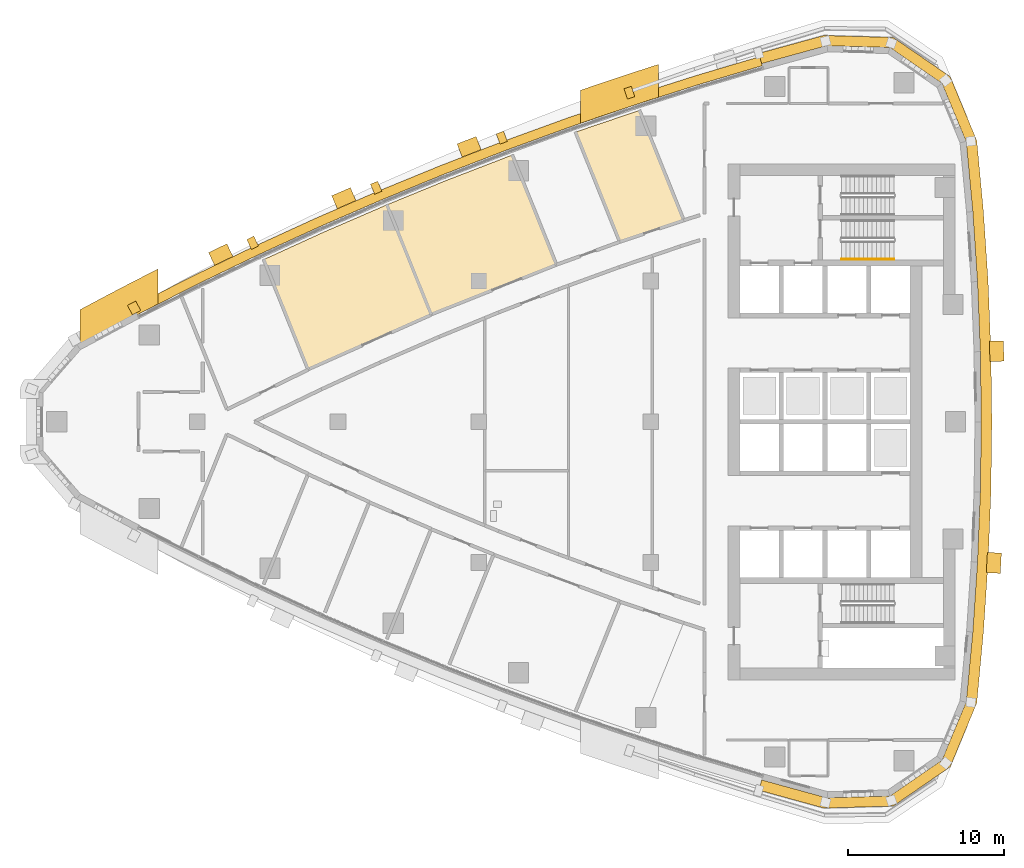
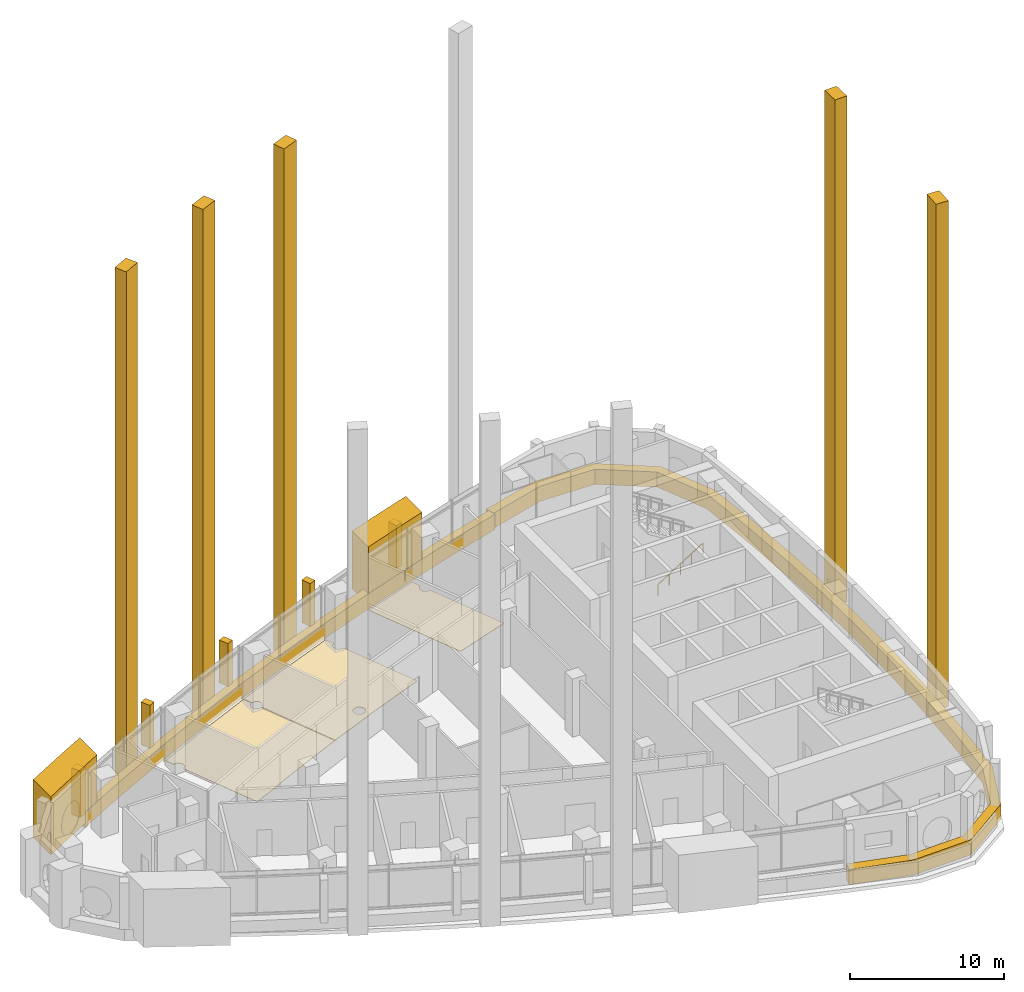
# One storey, part 15 of 19: 17 coverings, 1 railing.
"""IFC4 building model written with IfcOpenShell, lengths in metres."""

from ifc_helpers import new_model, si_unit, direction, frame, frame_2d, origin, origin_2d, place, context, subcontext, project, spatial, polyline, rectangle, circle, outline, extrude, material, layer, layer_set, type_object, element, save


model = new_model("IFC4")

# Units and contexts
model_context = context("Model", 3, precision=1e-05, world=origin(), true_north=direction((0.0, 1.0)))
body_context = subcontext(model_context, "Body", "Model", "MODEL_VIEW")
ifc_project = project(units=[si_unit("LENGTHUNIT", "METRE"), si_unit("AREAUNIT", "SQUARE_METRE"), si_unit("VOLUMEUNIT", "CUBIC_METRE"), si_unit("PLANEANGLEUNIT", "RADIAN"), si_unit("MASSUNIT", "GRAM", prefix="KILO")], contexts=[model_context])

# Site, building, storey
site_placement = place(None, origin())
site = spatial("IfcSite", under=ifc_project, at=site_placement, CompositionType="ELEMENT")
building_placement = place(site_placement, origin())
building = spatial("IfcBuilding", under=site, at=building_placement, Name="Ostrand Prow Hotel Tower", CompositionType="ELEMENT")
storey_placement = place(building_placement, frame((0.0, 0.0, 170.89990234375)))
storey = spatial("IfcBuildingStorey", under=building, at=storey_placement, Name="L42", CompositionType="ELEMENT", Elevation=170.89990234375)

# Coverings
ifc_material_1 = material(Name="Bronze anodised aluminium cladding", Category="aluminium")
ifc_layer_1 = layer(ifc_material_1, 0.60009765625)
ifc_layer_set_1 = layer_set([ifc_layer_1], Name="Bronze anodised aluminium cladding")
covering_type_1 = type_object("IfcCoveringType", Name="Bronze spandrel band 1200x600", PredefinedType="CLADDING", material=ifc_layer_set_1)
covering_1_placement = place(storey_placement, frame((0.0, 0.0, -0.2998046875)))
element("IfcCovering", 1, at=covering_1_placement, inside=storey, type_object=covering_type_1, Name="Spandrel band N1", PredefinedType="CLADDING", context=body_context, shape_type="SweptSolid", body=[
    extrude(outline(polyline([(51.9736328125, 23.35009765625), (47.831787109375, 22.12060546875), (43.7158203125, 20.80810546875), (39.626708984375, 19.4130859375), (35.566650390625, 17.93603515625), (31.537353515625, 16.37744140625), (27.5400390625, 14.738037109375), (23.57666015625, 13.0185546875), (19.648681640625, 11.219482421875), (15.757568359375, 9.341796875), (11.9052734375, 7.38623046875), (12.18212890625, 6.85400390625), (16.023681640625, 8.80419921875), (19.90380859375, 10.676513671875), (23.821044921875, 12.470458984375), (27.773193359375, 14.185302734375), (31.759521484375, 15.820068359375), (35.777587890625, 17.374267578125), (39.826171875, 18.84716796875), (43.90380859375, 20.23828125), (48.00830078125, 21.547119140625), (52.138427734375, 22.773193359375), (51.9736328125, 23.35009765625)])), origin(), (0.0, 0.0, 1.0), 1.199951171875),
])
covering_2_placement = place(storey_placement, frame((0.0, 0.0, -0.2998046875)))
element("IfcCovering", 2, at=covering_2_placement, inside=storey, type_object=covering_type_1, Name="Spandrel band back 1", PredefinedType="CLADDING", context=body_context, shape_type="SweptSolid", body=[
    extrude(outline(polyline([(51.9130859375, -23.561767578125), (56.0830078125, -24.708740234375), (60.5087890625, -24.581787109375), (64.15625, -22.072021484375), (65.856201171875, -17.98388671875), (66.27783203125, -13.499267578125), (66.5791015625, -9.0048828125), (66.760009765625, -4.50390625), (66.8203125, 0.0), (66.760009765625, 4.50390625), (66.5791015625, 9.0048828125), (66.27783203125, 13.499267578125), (65.856201171875, 17.98388671875), (64.15625, 22.072021484375), (60.5087890625, 24.581787109375), (56.0830078125, 24.708740234375), (51.9130859375, 23.561767578125), (52.10009765625, 22.907958984375), (56.256591796875, 24.05126953125), (60.297607421875, 23.935302734375), (63.6279296875, 21.643798828125), (65.18017578125, 17.9111328125), (65.60009765625, 13.444580078125), (65.900146484375, 8.968505859375), (66.080078125, 4.48583984375), (66.140380859375, 0.0), (66.080078125, -4.48583984375), (65.900146484375, -8.968505859375), (65.60009765625, -13.444580078125), (65.18017578125, -17.9111328125), (63.6279296875, -21.643798828125), (60.297607421875, -23.935302734375), (56.256591796875, -24.05126953125), (52.10009765625, -22.907958984375), (51.9130859375, -23.561767578125)])), origin(), (0.0, 0.0, 1.0), 1.199951171875),
])
ifc_material_2 = material(Name="Limestone cladding", Category="masonry")
ifc_layer_2 = layer(ifc_material_2, 5.0)
ifc_layer_set_2 = layer_set([ifc_layer_2], Name="Limestone cladding")
covering_type_2 = type_object("IfcCoveringType", Name="Portal jamb pilaster limestone", PredefinedType="CLADDING", material=ifc_layer_set_2)
covering_3_placement = place(storey_placement, origin())
element("IfcCovering", 3, at=covering_3_placement, inside=storey, type_object=covering_type_2, Name="Portal jamb NA L42", PredefinedType="CLADDING", context=body_context, shape_type="SweptSolid", body=[
    extrude(outline(polyline([(8.5, 4.89208984375), (9.5, 5.43408203125), (10.5, 5.968994140625), (11.5, 6.497314453125), (12.5, 7.01904296875), (13.5, 7.533935546875), (13.5, 9.777587890625), (12.5, 9.268798828125), (11.5, 8.75341796875), (10.5, 8.231201171875), (9.5, 7.702392578125), (8.5, 7.1669921875), (8.5, 4.89208984375)])), origin(), (0.0, 0.0, 1.0), 4.60009765625),
])
covering_4_placement = place(storey_placement, origin())
element("IfcCovering", 4, at=covering_4_placement, inside=storey, type_object=covering_type_2, Name="Portal jamb NB L42", PredefinedType="CLADDING", context=body_context, shape_type="SweptSolid", body=[
    extrude(outline(polyline([(40.5, 19.08349609375), (41.5, 19.429443359375), (42.5, 19.769775390625), (43.5, 20.104736328125), (44.5, 20.43408203125), (45.5, 20.75830078125), (45.5, 22.85791015625), (44.5, 22.537109375), (43.5, 22.211181640625), (42.5, 21.879638671875), (41.5, 21.542724609375), (40.5, 21.200439453125), (40.5, 19.08349609375)])), origin(), (0.0, 0.0, 1.0), 4.60009765625),
])
ifc_material_3 = material(Name="Limestone cladding", Category="masonry")
ifc_layer_3 = layer(ifc_material_3, 1.300048828125)
ifc_layer_set_3 = layer_set([ifc_layer_3], Name="Limestone cladding")
covering_type_3 = type_object("IfcCoveringType", Name="Precast stone fin 1300x1500", PredefinedType="CLADDING", material=ifc_layer_set_3)
for number, where, z_axis, x_axis, name in (
    (5, (33.548095703125, 17.1669921875, 0.0), (0.0, 0.0, 1.0), (-0.360796222996, 0.932644672677, 0.0), "Stone fin N zone 4 5"),
    (6, (25.553955078125, 13.88818359375, 0.0), (0.0, 0.0, 1.0), (-0.397942366006, 0.917410417064, 0.0), "Stone fin N zone 4 7"),
):
    element("IfcCovering", number, at=place(storey_placement, frame(where, z_axis=z_axis, x_axis=x_axis)), inside=storey, type_object=covering_type_3, Name=name, PredefinedType="CLADDING", context=body_context, shape_type="SweptSolid", body=[
        extrude(rectangle(XDim=0.89990234375, YDim=1.300048828125, at=frame_2d((0.449951171875, 0.0))), origin(), (0.0, 0.0, 1.0), 40.10009765625),
    ])
covering_5_placement = place(storey_placement, frame((17.698486328125, 10.29052734375, 0.0), z_axis=(0.0, 0.0, 1.0), x_axis=(-0.434802162744, 0.900526001442, 0.0)))
element("IfcCovering", 7, at=covering_5_placement, inside=storey, type_object=covering_type_3, Name="Stone fin N zone 4 9", PredefinedType="CLADDING", context=body_context, shape_type="SweptSolid", body=[
    extrude(rectangle(XDim=0.900146484375, YDim=1.300048828125, at=frame_2d((0.4501953125, 0.0))), origin(), (0.0, 0.0, 1.0), 40.10009765625),
])
for number, where, z_axis, x_axis, name in (
    (8, (66.499267578125, -9.00048828125, 0.0), (0.0, 0.0, 1.0), (0.998570977325, -0.053441587214, 0.0), "Stone fin back zone 4 7"),
    (9, (66.679931640625, 4.501953125, 0.0), (0.0, 0.0, 1.0), (0.99964655904, 0.026584901706, 0.0), "Stone fin back zone 4 10"),
):
    element("IfcCovering", number, at=place(storey_placement, frame(where, z_axis=z_axis, x_axis=x_axis)), inside=storey, type_object=covering_type_3, Name=name, PredefinedType="CLADDING", context=body_context, shape_type="SweptSolid", body=[
        extrude(rectangle(XDim=0.89990234375, YDim=1.300048828125, at=frame_2d((0.449951171875, 0.0))), origin(), (0.0, 0.0, 1.0), 40.10009765625),
    ])
ifc_material_4 = material(Name="Limestone cladding", Category="masonry")
ifc_layer_4 = layer(ifc_material_4, 0.5)
ifc_layer_set_4 = layer_set([ifc_layer_4], Name="Limestone cladding")
covering_type_4 = type_object("IfcCoveringType", Name="Precast stone fin 500x600", PredefinedType="CLADDING", material=ifc_layer_set_4)
for number, where, z_axis, x_axis, name in (
    (10, (43.7470703125, 20.713134765625, 0.900146484375), (0.0, 0.0, 1.0), (-0.313506388498, 0.949586091079, 0.0), "Stone fin N 3"),
    (11, (35.601806640625, 17.84228515625, 0.900146484375), (0.0, 0.0, 1.0), (-0.351161657254, 0.936314845805, 0.0), "Stone fin N 5"),
):
    element("IfcCovering", number, at=place(storey_placement, frame(where, z_axis=z_axis, x_axis=x_axis)), inside=storey, type_object=covering_type_4, Name=name, PredefinedType="CLADDING", context=body_context, shape_type="SweptSolid", body=[
        extrude(rectangle(XDim=0.7001953125, YDim=0.5, at=frame_2d((0.35009765625, 0.0))), origin(), (0.0, 0.0, 1.0), 3.39990234375),
    ])
for number, where, z_axis, x_axis, name in (
    (12, (27.578857421875, 14.64599609375, 0.900146484375), (0.0, 0.0, 1.0), (-0.388524706088, 0.92143830654, 0.0), "Stone fin N 7"),
    (13, (19.691162109375, 11.129150390625, 0.900146484375), (0.0, 0.0, 1.0), (-0.425595424807, 0.904913550779, 0.0), "Stone fin N 9"),
):
    element("IfcCovering", number, at=place(storey_placement, frame(where, z_axis=z_axis, x_axis=x_axis)), inside=storey, type_object=covering_type_4, Name=name, PredefinedType="CLADDING", context=body_context, shape_type="SweptSolid", body=[
        extrude(rectangle(XDim=0.699951171875, YDim=0.5, at=frame_2d((0.35009765625, 0.0))), origin(), (0.0, 0.0, 1.0), 3.39990234375),
    ])
ifc_material_5 = material(Name="Limestone cladding", Category="masonry")
ifc_layer_5 = layer(ifc_material_5, 0.60009765625)
ifc_layer_set_5 = layer_set([ifc_layer_5], Name="Limestone cladding")
covering_type_5 = type_object("IfcCoveringType", Name="Precast stone prow rib 600x600", PredefinedType="CLADDING", material=ifc_layer_set_5)
covering_6_placement = place(storey_placement, frame((12.117431640625, 6.978515625, 0.60009765625), z_axis=(0.0, 0.0, 1.0), x_axis=(-0.461522357319, 0.887128577882, 0.0)))
element("IfcCovering", 14, at=covering_6_placement, inside=storey, type_object=covering_type_5, Name="Stone prow rib 1", PredefinedType="CLADDING", context=body_context, shape_type="SweptSolid", body=[
    extrude(rectangle(XDim=0.6796875, YDim=0.60009765625, at=frame_2d((0.33984375, 0.0))), origin(), (0.0, 0.0, 1.0), 3.699951171875),
])

# Railing
ifc_material_6 = material(Name="Stainless steel", Category="steel")
railing_type = type_object("IfcRailingType", Name="Stair handrail 900", PredefinedType="HANDRAIL", material=ifc_material_6)
railing_placement = place(storey_placement, frame((57.199951171875, 10.39990234375, 0.177001953125)))
element("IfcRailing", 15, at=railing_placement, inside=storey, type_object=railing_type, Name="L42 ST1C stair handrail 1", PredefinedType="HANDRAIL", context=body_context, shape_type="SweptSolid", body=[
    extrude(circle(Radius=0.02392578125, at=origin_2d()), frame((0.0, 0.0, 0.8759765625), z_axis=(0.845389635667, 0.0, 0.534150132366), x_axis=(0.0, 1.0, 0.0)), (0.0, 0.0, 1.0), 3.974609375),
    extrude(circle(Radius=0.02099609375, at=origin_2d()), origin(), (0.0, 0.0, 1.0), 0.851806640625),
    extrude(circle(Radius=0.02099609375, at=origin_2d()), frame((0.840087890625, 0.0, 0.53076171875)), (0.0, 0.0, 1.0), 0.851806640625),
    extrude(circle(Radius=0.02099609375, at=origin_2d()), frame((1.68017578125, 0.0, 1.0615234375)), (0.0, 0.0, 1.0), 0.851806640625),
    extrude(circle(Radius=0.02099609375, at=origin_2d()), frame((2.52001953125, 0.0, 1.59228515625)), (0.0, 0.0, 1.0), 0.851806640625),
    extrude(circle(Radius=0.02099609375, at=origin_2d()), frame((3.360107421875, 0.0, 2.123046875)), (0.0, 0.0, 1.0), 0.851806640625),
])

# Coverings
ifc_material_7 = material(Name="Polished limestone", Category="masonry")
ifc_layer_6 = layer(ifc_material_7, 0.030029296875)
ifc_layer_set_6 = layer_set([ifc_layer_6], Name="Polished limestone")
covering_type_6 = type_object("IfcCoveringType", Name="Stone floor finish 30 mm", PredefinedType="FLOORING", material=ifc_layer_set_6)
covering_7_placement = place(storey_placement, origin())
element("IfcCovering", 16, at=covering_7_placement, inside=storey, type_object=covering_type_6, Name="Floor finish Restaurant", PredefinedType="FLOORING", context=body_context, shape_type="SweptSolid", body=[
    extrude(outline(polyline([(28.11279296875, 13.8701171875), (23.991943359375, 12.0869140625), (20.276123046875, 10.38525390625), (20.53125, 9.75244140625), (20.541015625, 9.756103515625), (20.5791015625, 9.765380859375), (20.617919921875, 9.771240234375), (20.656982421875, 9.773193359375), (20.6962890625, 9.771240234375), (20.735107421875, 9.765380859375), (20.773193359375, 9.756103515625), (20.810302734375, 9.742919921875), (20.845703125, 9.72607421875), (20.87939453125, 9.705810546875), (20.910888671875, 9.682373046875), (20.93994140625, 9.656005859375), (20.96630859375, 9.626953125), (20.98974609375, 9.595458984375), (21.010009765625, 9.561767578125), (21.026611328125, 9.5263671875), (21.039794921875, 9.4892578125), (21.04931640625, 9.451171875), (21.05517578125, 9.412353515625), (21.05712890625, 9.373291015625), (21.05517578125, 9.333984375), (21.04931640625, 9.295166015625), (21.039794921875, 9.257080078125), (21.026611328125, 9.22021484375), (21.010009765625, 9.1845703125), (20.98974609375, 9.15087890625), (20.96630859375, 9.119384765625), (20.93994140625, 9.09033203125), (20.910888671875, 9.06396484375), (20.87939453125, 9.04052734375), (20.845703125, 9.0205078125), (20.829345703125, 9.0126953125), (23.106201171875, 3.36474609375), (27.068603515625, 5.186279296875), (30.9375, 6.86279296875), (28.664794921875, 12.50048828125), (28.650390625, 12.495361328125), (28.6123046875, 12.48583984375), (28.573486328125, 12.47998046875), (28.5341796875, 12.478271484375), (28.4951171875, 12.47998046875), (28.456298828125, 12.48583984375), (28.418212890625, 12.495361328125), (28.381103515625, 12.508544921875), (28.345703125, 12.525390625), (28.31201171875, 12.545654296875), (28.280517578125, 12.569091796875), (28.25146484375, 12.595458984375), (28.22509765625, 12.62451171875), (28.20166015625, 12.656005859375), (28.181396484375, 12.689697265625), (28.164794921875, 12.72509765625), (28.151611328125, 12.76220703125), (28.14208984375, 12.80029296875), (28.13623046875, 12.839111328125), (28.13427734375, 12.878173828125), (28.13623046875, 12.91748046875), (28.14208984375, 12.956298828125), (28.151611328125, 12.994384765625), (28.164794921875, 13.03125), (28.181396484375, 13.06689453125), (28.20166015625, 13.100341796875), (28.22509765625, 13.132080078125), (28.25146484375, 13.160888671875), (28.280517578125, 13.1875), (28.31201171875, 13.210693359375), (28.345703125, 13.23095703125), (28.366455078125, 13.24072265625), (28.11279296875, 13.8701171875)])), origin(), (0.0, 0.0, 1.0), 0.030029296875),
])
covering_8_placement = place(storey_placement, origin())
element("IfcCovering", 17, at=covering_8_placement, inside=storey, type_object=covering_type_6, Name="Floor finish Restaurant", PredefinedType="FLOORING", context=body_context, shape_type="SweptSolid", body=[
    extrude(outline(polyline([(36.37939453125, 16.42333984375), (36.12548828125, 17.0537109375), (31.914794921875, 15.429931640625), (28.154296875, 13.8876953125), (28.408203125, 13.25732421875), (28.418212890625, 13.260986328125), (28.456298828125, 13.2705078125), (28.4951171875, 13.2763671875), (28.5341796875, 13.2783203125), (28.573486328125, 13.2763671875), (28.6123046875, 13.2705078125), (28.650390625, 13.260986328125), (28.6875, 13.247802734375), (28.722900390625, 13.23095703125), (28.756591796875, 13.210693359375), (28.7880859375, 13.1875), (28.817138671875, 13.160888671875), (28.843505859375, 13.132080078125), (28.866943359375, 13.100341796875), (28.88720703125, 13.06689453125), (28.90380859375, 13.03125), (28.9169921875, 12.994384765625), (28.926513671875, 12.956298828125), (28.932373046875, 12.91748046875), (28.934326171875, 12.878173828125), (28.932373046875, 12.839111328125), (28.926513671875, 12.80029296875), (28.9169921875, 12.76220703125), (28.90380859375, 12.72509765625), (28.88720703125, 12.689697265625), (28.866943359375, 12.656005859375), (28.843505859375, 12.62451171875), (28.817138671875, 12.595458984375), (28.7880859375, 12.569091796875), (28.756591796875, 12.545654296875), (28.722900390625, 12.525390625), (28.70654296875, 12.517578125), (30.97900390625, 6.88037109375), (34.711181640625, 8.4111328125), (38.951904296875, 10.042236328125), (36.677734375, 15.68310546875), (36.663330078125, 15.677978515625), (36.625244140625, 15.66845703125), (36.58642578125, 15.66259765625), (36.547119140625, 15.660888671875), (36.508056640625, 15.66259765625), (36.46923828125, 15.66845703125), (36.43115234375, 15.677978515625), (36.39404296875, 15.691162109375), (36.358642578125, 15.7080078125), (36.324951171875, 15.728271484375), (36.29345703125, 15.751708984375), (36.264404296875, 15.778076171875), (36.238037109375, 15.806884765625), (36.214599609375, 15.838623046875), (36.1943359375, 15.872314453125), (36.177490234375, 15.90771484375), (36.164306640625, 15.944580078125), (36.15478515625, 15.98291015625), (36.149169921875, 16.021484375), (36.147216796875, 16.060791015625), (36.149169921875, 16.10009765625), (36.15478515625, 16.138916015625), (36.164306640625, 16.177001953125), (36.177490234375, 16.2138671875), (36.1943359375, 16.24951171875), (36.214599609375, 16.282958984375), (36.238037109375, 16.314697265625), (36.264404296875, 16.343505859375), (36.29345703125, 16.3701171875), (36.324951171875, 16.393310546875), (36.358642578125, 16.41357421875), (36.37939453125, 16.42333984375)]), holes=[polyline([(34.33251953125, 8.77783203125), (34.30908203125, 8.74609375), (34.28271484375, 8.71728515625), (34.25390625, 8.69091796875), (34.22216796875, 8.66748046875), (34.188720703125, 8.647216796875), (34.153076171875, 8.63037109375), (34.1162109375, 8.6171875), (34.077880859375, 8.607666015625), (34.039306640625, 8.601806640625), (34.0, 8.60009765625), (33.960693359375, 8.601806640625), (33.922119140625, 8.607666015625), (33.8837890625, 8.6171875), (33.846923828125, 8.63037109375), (33.811279296875, 8.647216796875), (33.77783203125, 8.66748046875), (33.74609375, 8.69091796875), (33.71728515625, 8.71728515625), (33.69091796875, 8.74609375), (33.66748046875, 8.77783203125), (33.647216796875, 8.811279296875), (33.63037109375, 8.846923828125), (33.6171875, 8.8837890625), (33.607666015625, 8.922119140625), (33.601806640625, 8.960693359375), (33.60009765625, 9.0), (33.601806640625, 9.039306640625), (33.607666015625, 9.077880859375), (33.6171875, 9.1162109375), (33.63037109375, 9.153076171875), (33.647216796875, 9.188720703125), (33.66748046875, 9.22216796875), (33.69091796875, 9.25390625), (33.71728515625, 9.28271484375), (33.74609375, 9.30908203125), (33.77783203125, 9.33251953125), (33.811279296875, 9.352783203125), (33.846923828125, 9.36962890625), (33.8837890625, 9.3828125), (33.922119140625, 9.392333984375), (33.960693359375, 9.398193359375), (34.0, 9.39990234375), (34.039306640625, 9.398193359375), (34.077880859375, 9.392333984375), (34.1162109375, 9.3828125), (34.153076171875, 9.36962890625), (34.188720703125, 9.352783203125), (34.22216796875, 9.33251953125), (34.25390625, 9.30908203125), (34.28271484375, 9.28271484375), (34.30908203125, 9.25390625), (34.33251953125, 9.22216796875), (34.352783203125, 9.188720703125), (34.36962890625, 9.153076171875), (34.3828125, 9.1162109375), (34.392333984375, 9.077880859375), (34.398193359375, 9.039306640625), (34.39990234375, 9.0), (34.398193359375, 8.960693359375), (34.392333984375, 8.922119140625), (34.3828125, 8.8837890625), (34.36962890625, 8.846923828125), (34.352783203125, 8.811279296875), (34.33251953125, 8.77783203125)])]), origin(), (0.0, 0.0, 1.0), 0.030029296875),
])
covering_9_placement = place(storey_placement, origin())
element("IfcCovering", 18, at=covering_9_placement, inside=storey, type_object=covering_type_6, Name="Floor finish Bar", PredefinedType="FLOORING", context=body_context, shape_type="SweptSolid", body=[
    extrude(outline(polyline([(43.04931640625, 11.51611328125), (47.09423828125, 12.879638671875), (44.813232421875, 18.5380859375), (44.798583984375, 18.53271484375), (44.760498046875, 18.523193359375), (44.7216796875, 18.517578125), (44.6826171875, 18.515625), (44.643310546875, 18.517578125), (44.6044921875, 18.523193359375), (44.56640625, 18.53271484375), (44.529541015625, 18.5458984375), (44.493896484375, 18.562744140625), (44.46044921875, 18.5830078125), (44.4287109375, 18.6064453125), (44.39990234375, 18.6328125), (44.373291015625, 18.661865234375), (44.35009765625, 18.693359375), (44.329833984375, 18.72705078125), (44.31298828125, 18.762451171875), (44.2998046875, 18.799560546875), (44.290283203125, 18.837646484375), (44.284423828125, 18.87646484375), (44.28271484375, 18.91552734375), (44.284423828125, 18.954833984375), (44.290283203125, 18.99365234375), (44.2998046875, 19.03173828125), (44.31298828125, 19.068603515625), (44.329833984375, 19.104248046875), (44.35009765625, 19.1376953125), (44.373291015625, 19.16943359375), (44.39990234375, 19.198486328125), (44.4287109375, 19.224853515625), (44.46044921875, 19.248291015625), (44.493896484375, 19.268310546875), (44.514892578125, 19.2783203125), (44.259765625, 19.910888671875), (40.218994140625, 18.53759765625), (43.04931640625, 11.51611328125)])), origin(), (0.0, 0.0, 1.0), 0.030029296875),
])

save(model, "model.ifc")
